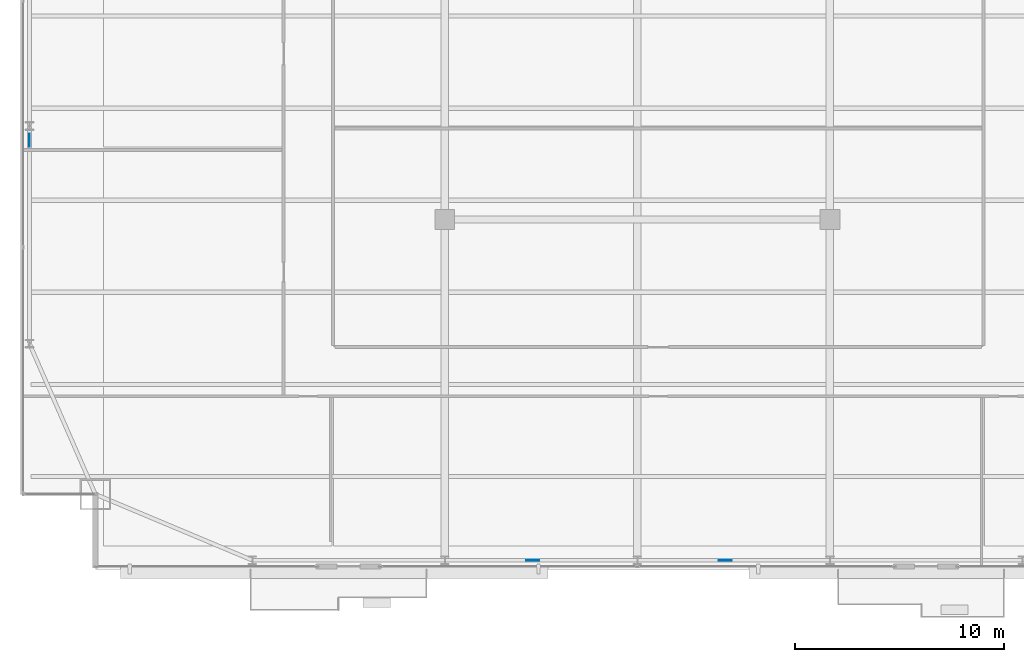
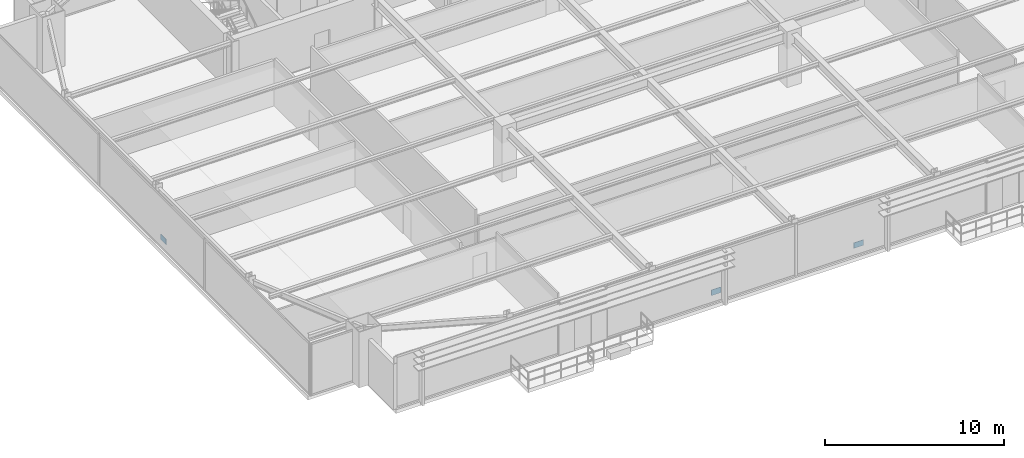
# One storey, part 28 of 34: 3 plates.
"""IFC4 building model written with IfcOpenShell, lengths in metres."""

from ifc_helpers import new_model, si_unit, direction, frame, origin, origin_2d, place, context, subcontext, project, spatial, rectangle, extrude, source, transform, mapped, material, layer, layer_set, type_object, type_shapes, element, save


model = new_model("IFC4")

# Units and contexts
model_context = context("Model", 3, precision=1e-05, world=origin(), true_north=direction((0.0, 1.0)))
body_context = subcontext(model_context, "Body", "Model", "MODEL_VIEW")
ifc_project = project(units=[si_unit("LENGTHUNIT", "METRE"), si_unit("AREAUNIT", "SQUARE_METRE"), si_unit("VOLUMEUNIT", "CUBIC_METRE"), si_unit("PLANEANGLEUNIT", "RADIAN"), si_unit("MASSUNIT", "GRAM", prefix="KILO")], contexts=[model_context])

# Site, building, storey
site_placement = place(None, origin())
site = spatial("IfcSite", under=ifc_project, at=site_placement, CompositionType="ELEMENT")
building_placement = place(site_placement, origin())
building = spatial("IfcBuilding", under=site, at=building_placement, Name="Varnel Quay Broadcast Tower", CompositionType="ELEMENT")
storey_placement = place(building_placement, frame((0.0, 0.0, 110.60009765625)))
storey = spatial("IfcBuildingStorey", under=building, at=storey_placement, Name="L26", CompositionType="ELEMENT", Elevation=110.60009765625)

# Plates
ifc_material = material(Name="Structural Steel CSA G40.21 350WT", Category="steel")
ifc_layer = layer(ifc_material, 0.031982421875, Name="Structural Steel CSA G40.21 350WT")
ifc_layer_set = layer_set([ifc_layer], Name="Structural Steel CSA G40.21 350WT")
plate_type = type_object("IfcPlateType", Name="Plate_EndCap", PredefinedType="USERDEFINED", material=ifc_layer_set)
shared_shape = source(origin(), body_context, "Body", "SweptSolid", [
    extrude(rectangle(XDim=0.6201171875, YDim=0.031982421875, at=origin_2d()), origin(), (0.0, 0.0, 1.0), 0.3798828125),
])
type_shapes(plate_type, [shared_shape])
for number, where, z_axis, x_axis, name in (
    (1, (29.010986328125, 4.64990234375, 0.3154296875), (0.0, 0.0, 1.0), (1.0, 0.0, 0.0), "Zone 2 Mega-Brace S-C1T2 Diag B2 End Connection Plate P0"),
    (2, (38.211181640625, 4.64990234375, 0.3154296875), (0.0, 0.0, 1.0), (1.0, 0.0, 0.0), "Zone 2 Mega-Brace S-C2T2 Diag B2 End Connection Plate P0"),
    (3, (4.949951171875, 24.716064453125, 0.107666015625), (0.0, 0.0, 1.0), (0.0, 1.0, 0.0), "Zone 2 Mega-Brace W-FT2 Diag B2 End Connection Plate P0"),
):
    element("IfcPlate", number, at=place(storey_placement, frame(where, z_axis=z_axis, x_axis=x_axis)), inside=storey, type_object=plate_type, Name=name, ObjectType="CAP_PLATE", PredefinedType="USERDEFINED", context=body_context, shape_type="MappedRepresentation", body=[
        mapped(shared_shape, transform((0.0, 0.0, 0.0), x_axis=(1.0, 0.0, 0.0), y_axis=(0.0, 1.0, 0.0), z_axis=(0.0, 0.0, 1.0), scale=1.0)),
    ])

save(model, "model.ifc")
